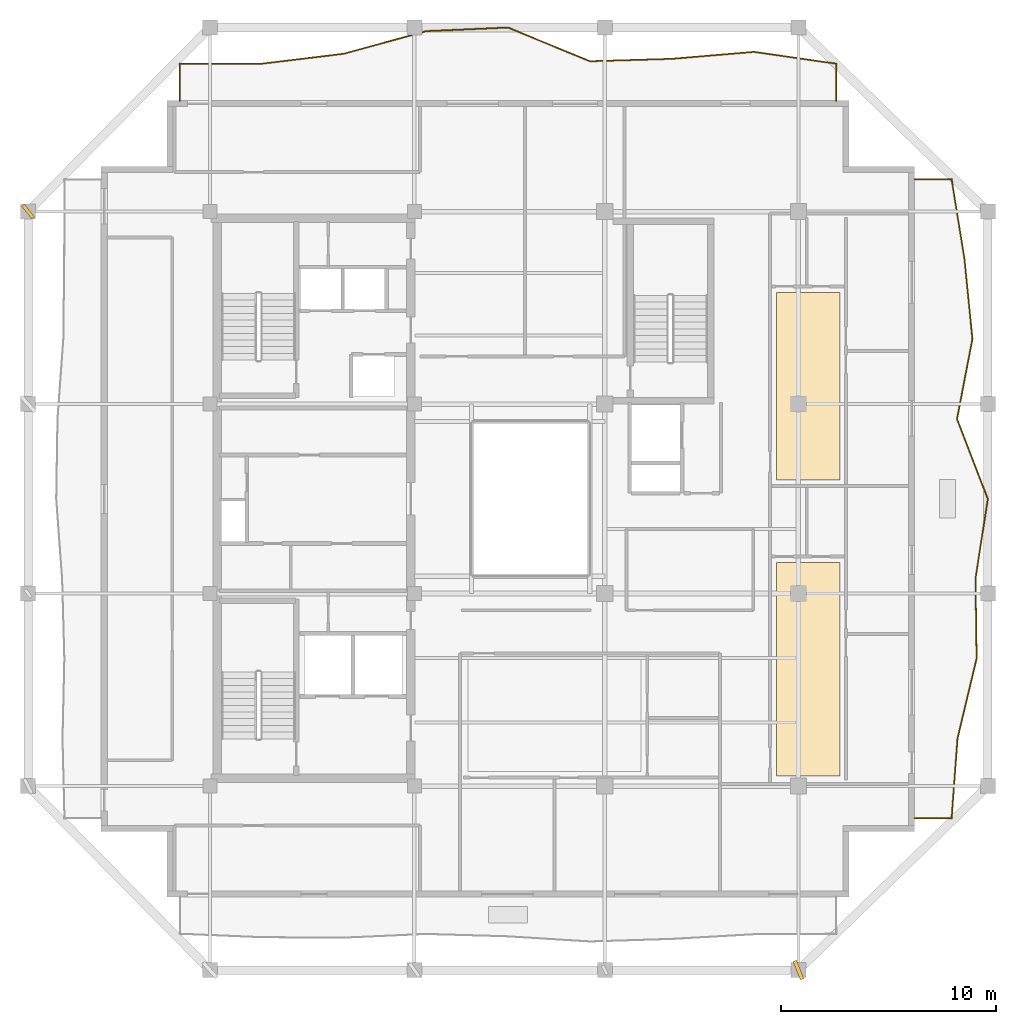
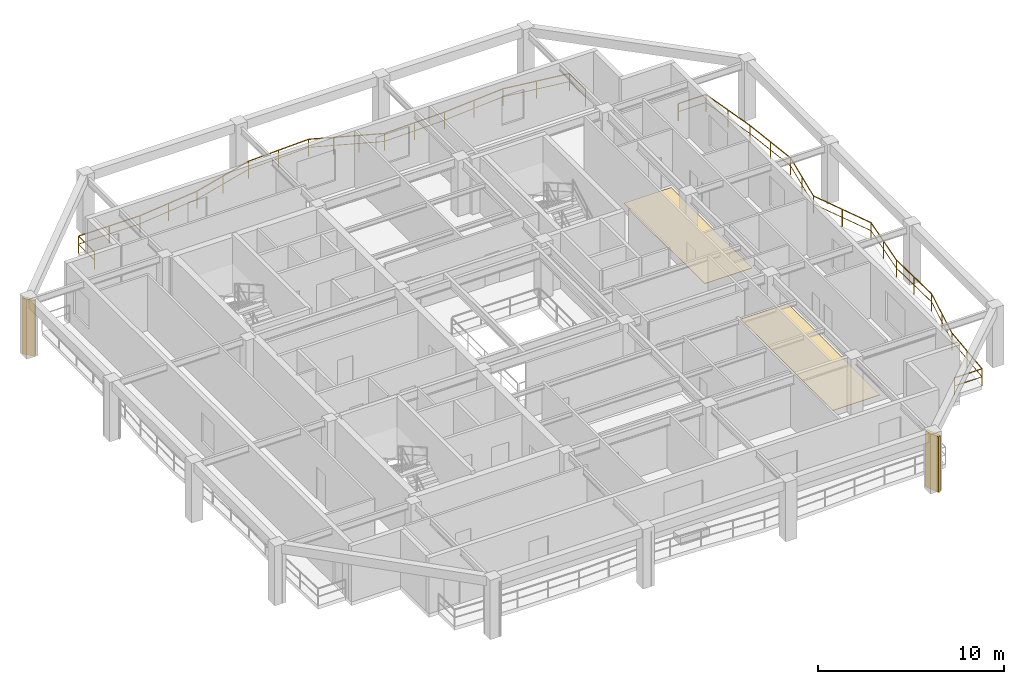
# One storey, part 9 of 10: 2 coverings, 2 railings, 2 shading devices.
"""IFC4 building model written with IfcOpenShell, lengths in metres."""

from ifc_helpers import new_model, si_unit, direction, frame, origin, origin_2d, place, context, subcontext, project, spatial, polyline, rectangle, outline, extrude, material, layer, layer_set, type_object, element, save


model = new_model("IFC4")

# Units and contexts
model_context = context("Model", 3, precision=1e-05, world=origin(), true_north=direction((0.0, 1.0)))
body_context = subcontext(model_context, "Body", "Model", "MODEL_VIEW")
ifc_project = project(units=[si_unit("LENGTHUNIT", "METRE"), si_unit("AREAUNIT", "SQUARE_METRE"), si_unit("VOLUMEUNIT", "CUBIC_METRE"), si_unit("PLANEANGLEUNIT", "RADIAN"), si_unit("MASSUNIT", "GRAM", prefix="KILO")], contexts=[model_context])

# Site, building, storey
site_placement = place(None, origin())
site = spatial("IfcSite", under=ifc_project, at=site_placement, CompositionType="ELEMENT")
building_placement = place(site_placement, origin())
building = spatial("IfcBuilding", under=site, at=building_placement, Name="Kundavana Baori Tower", CompositionType="ELEMENT")
storey_placement = place(building_placement, frame((0.0, 0.0, 299.89990234375)))
storey = spatial("IfcBuildingStorey", under=building, at=storey_placement, Name="L74", CompositionType="ELEMENT", Elevation=299.89990234375)

# Coverings
ifc_material_1 = material(Name="Honed Kota Stone and Terrazzo Flooring", Category="masonry")
ifc_layer = layer(ifc_material_1, 0.030029296875, Name="COV-INT-FLR")
ifc_layer_set = layer_set([ifc_layer], Name="Honed Kota Stone and Terrazzo Flooring")
covering_type = type_object("IfcCoveringType", Name="COV-INT-FLR", PredefinedType="FLOORING", material=ifc_layer_set)
covering_1_placement = place(storey_placement, origin())
element("IfcCovering", 1, at=covering_1_placement, inside=storey, type_object=covering_type, Name="L74 Room Finished Stone Flooring 2", PredefinedType="FLOORING", context=body_context, shape_type="SweptSolid", body=[
    extrude(outline(polyline([(41.780029296875, 15.72998046875), (44.719970703125, 15.72998046875), (44.719970703125, 25.639892578125), (41.780029296875, 25.639892578125), (41.780029296875, 15.72998046875)])), origin(), (0.0, 0.0, 1.0), 0.030029296875),
])
covering_2_placement = place(storey_placement, origin())
element("IfcCovering", 2, at=covering_2_placement, inside=storey, type_object=covering_type, Name="L74 Room Finished Stone Flooring 3", PredefinedType="FLOORING", context=body_context, shape_type="SweptSolid", body=[
    extrude(outline(polyline([(41.780029296875, 29.47998046875), (44.719970703125, 29.47998046875), (44.719970703125, 38.18994140625), (41.780029296875, 38.18994140625), (41.780029296875, 29.47998046875)])), origin(), (0.0, 0.0, 1.0), 0.030029296875),
])

# Railings
ifc_material_2 = material(Name="Architectural Patinated Bronze Metalwork")
railing_type = type_object("IfcRailingType", Name="RL-BAL-1150", PredefinedType="BALUSTRADE", material=ifc_material_2)
railing_1_placement = place(storey_placement, frame((48.199951171875, 43.449951171875, 0.0)))
element("IfcRailing", 3, at=railing_1_placement, inside=storey, type_object=railing_type, Name="L74 Loggia Balcony Balustrade E", PredefinedType="BALUSTRADE", context=body_context, shape_type="SweptSolid", body=[
    extrude(rectangle(XDim=0.048095703125, YDim=0.048095703125, at=origin_2d()), frame((0.0, 0.0, 1.1259765625), z_axis=(1.0, 0.0, 0.0), x_axis=(0.0, 1.0, 0.0)), (0.0, 0.0, 1.0), 1.719970703125),
    extrude(rectangle(XDim=0.03125, YDim=0.03125, at=origin_2d()), frame((0.0, 0.0, 0.597900390625), z_axis=(1.0, 0.0, 0.0), x_axis=(0.0, 1.0, 0.0)), (0.0, 0.0, 1.0), 1.719970703125),
    extrude(rectangle(XDim=0.048095703125, YDim=0.048095703125, at=origin_2d()), frame((1.719970703125, 0.0, 1.1259765625), z_axis=(0.159342677041, -0.98722333404, 0.0), x_axis=(0.98722333404, 0.159342677041, 0.0)), (0.0, 0.0, 1.0), 3.760009765625),
    extrude(rectangle(XDim=0.03125, YDim=0.03125, at=origin_2d()), frame((1.719970703125, 0.0, 0.597900390625), z_axis=(0.159342677041, -0.98722333404, 0.0), x_axis=(0.98722333404, 0.159342677041, 0.0)), (0.0, 0.0, 1.0), 3.760009765625),
    extrude(rectangle(XDim=0.048095703125, YDim=0.048095703125, at=origin_2d()), frame((2.319091796875, -3.7119140625, 1.1259765625), z_axis=(0.098603204225, -0.995126830166, 0.0), x_axis=(0.995126830166, 0.098603204225, 0.0)), (0.0, 0.0, 1.0), 3.731201171875),
    extrude(rectangle(XDim=0.03125, YDim=0.03125, at=origin_2d()), frame((2.319091796875, -3.7119140625, 0.597900390625), z_axis=(0.098603204225, -0.995126830166, 0.0), x_axis=(0.995126830166, 0.098603204225, 0.0)), (0.0, 0.0, 1.0), 3.731201171875),
    extrude(rectangle(XDim=0.048095703125, YDim=0.048095703125, at=origin_2d()), frame((2.68701171875, -7.425048828125, 1.1259765625), z_axis=(-0.189369413955, -0.981905914565, 0.0), x_axis=(0.981905914565, -0.189369413955, 0.0)), (0.0, 0.0, 1.0), 3.78125),
    extrude(rectangle(XDim=0.03125, YDim=0.03125, at=origin_2d()), frame((2.68701171875, -7.425048828125, 0.597900390625), z_axis=(-0.189369413955, -0.981905914565, 0.0), x_axis=(0.981905914565, -0.189369413955, 0.0)), (0.0, 0.0, 1.0), 3.78125),
    extrude(rectangle(XDim=0.048095703125, YDim=0.048095703125, at=origin_2d()), frame((1.970947265625, -11.137939453125, 1.1259765625), z_axis=(0.359316327421, -0.933215825438, 0.0), x_axis=(0.933215825438, 0.359316327421, 0.0)), (0.0, 0.0, 1.0), 3.9775390625),
    extrude(rectangle(XDim=0.03125, YDim=0.03125, at=origin_2d()), frame((1.970947265625, -11.137939453125, 0.597900390625), z_axis=(0.359316327421, -0.933215825438, 0.0), x_axis=(0.933215825438, 0.359316327421, 0.0)), (0.0, 0.0, 1.0), 3.9775390625),
    extrude(rectangle(XDim=0.048095703125, YDim=0.048095703125, at=origin_2d()), frame((3.400146484375, -14.849853515625, 1.1259765625), z_axis=(-0.1517885131, -0.988412994295, 0.0), x_axis=(0.988412994295, -0.1517885131, 0.0)), (0.0, 0.0, 1.0), 3.755615234375),
    extrude(rectangle(XDim=0.03125, YDim=0.03125, at=origin_2d()), frame((3.400146484375, -14.849853515625, 0.597900390625), z_axis=(-0.1517885131, -0.988412994295, 0.0), x_axis=(0.988412994295, -0.1517885131, 0.0)), (0.0, 0.0, 1.0), 3.755615234375),
    extrude(rectangle(XDim=0.048095703125, YDim=0.048095703125, at=origin_2d()), frame((2.830078125, -18.56201171875, 1.1259765625), z_axis=(0.014004412928, -0.999901933401, 0.0), x_axis=(0.999901933401, 0.014004412928, 0.0)), (0.0, 0.0, 1.0), 3.713134765625),
    extrude(rectangle(XDim=0.03125, YDim=0.03125, at=origin_2d()), frame((2.830078125, -18.56201171875, 0.597900390625), z_axis=(0.014004412928, -0.999901933401, 0.0), x_axis=(0.999901933401, 0.014004412928, 0.0)), (0.0, 0.0, 1.0), 3.713134765625),
    extrude(rectangle(XDim=0.048095703125, YDim=0.048095703125, at=origin_2d()), frame((2.882080078125, -22.27490234375, 1.1259765625), z_axis=(-0.232577158128, -0.972577948299, 0.0), x_axis=(0.972577948299, -0.232577158128, 0.0)), (0.0, 0.0, 1.0), 3.81787109375),
    extrude(rectangle(XDim=0.03125, YDim=0.03125, at=origin_2d()), frame((2.882080078125, -22.27490234375, 0.597900390625), z_axis=(-0.232577158128, -0.972577948299, 0.0), x_axis=(0.972577948299, -0.232577158128, 0.0)), (0.0, 0.0, 1.0), 3.81787109375),
    extrude(rectangle(XDim=0.048095703125, YDim=0.048095703125, at=origin_2d()), frame((1.994140625, -25.988037109375, 1.1259765625), z_axis=(-0.073661480478, -0.997283302925, 0.0), x_axis=(0.997283302925, -0.073661480478, 0.0)), (0.0, 0.0, 1.0), 3.721923828125),
    extrude(rectangle(XDim=0.03125, YDim=0.03125, at=origin_2d()), frame((1.994140625, -25.988037109375, 0.597900390625), z_axis=(-0.073661480478, -0.997283302925, 0.0), x_axis=(0.997283302925, -0.073661480478, 0.0)), (0.0, 0.0, 1.0), 3.721923828125),
    extrude(rectangle(XDim=0.048095703125, YDim=0.048095703125, at=origin_2d()), frame((1.719970703125, -29.699951171875, 1.1259765625), z_axis=(-1.0, 0.0, 0.0), x_axis=(0.0, -1.0, 0.0)), (0.0, 0.0, 1.0), 1.719970703125),
    extrude(rectangle(XDim=0.03125, YDim=0.03125, at=origin_2d()), frame((1.719970703125, -29.699951171875, 0.597900390625), z_axis=(-1.0, 0.0, 0.0), x_axis=(0.0, -1.0, 0.0)), (0.0, 0.0, 1.0), 1.719970703125),
    extrude(rectangle(XDim=0.0419921875, YDim=0.0419921875, at=origin_2d()), origin(), (0.0, 0.0, 1.0), 1.101806640625),
    extrude(rectangle(XDim=0.0419921875, YDim=0.0419921875, at=origin_2d()), frame((1.719970703125, 0.0, 0.0)), (0.0, 0.0, 1.0), 1.101806640625),
    extrude(rectangle(XDim=0.0419921875, YDim=0.0419921875, at=origin_2d()), frame((2.01953125, -1.85595703125, 0.0)), (0.0, 0.0, 1.0), 1.101806640625),
    extrude(rectangle(XDim=0.0419921875, YDim=0.0419921875, at=origin_2d()), frame((2.319091796875, -3.7119140625, 0.0)), (0.0, 0.0, 1.0), 1.101806640625),
    extrude(rectangle(XDim=0.0419921875, YDim=0.0419921875, at=origin_2d()), frame((2.5029296875, -5.568359375, 0.0)), (0.0, 0.0, 1.0), 1.101806640625),
    extrude(rectangle(XDim=0.0419921875, YDim=0.0419921875, at=origin_2d()), frame((2.68701171875, -7.425048828125, 0.0)), (0.0, 0.0, 1.0), 1.101806640625),
    extrude(rectangle(XDim=0.0419921875, YDim=0.0419921875, at=origin_2d()), frame((2.3291015625, -9.281494140625, 0.0)), (0.0, 0.0, 1.0), 1.101806640625),
    extrude(rectangle(XDim=0.0419921875, YDim=0.0419921875, at=origin_2d()), frame((1.970947265625, -11.137939453125, 0.0)), (0.0, 0.0, 1.0), 1.101806640625),
    extrude(rectangle(XDim=0.0419921875, YDim=0.0419921875, at=origin_2d()), frame((2.685546875, -12.993896484375, 0.0)), (0.0, 0.0, 1.0), 1.101806640625),
    extrude(rectangle(XDim=0.0419921875, YDim=0.0419921875, at=origin_2d()), frame((3.400146484375, -14.849853515625, 0.0)), (0.0, 0.0, 1.0), 1.101806640625),
    extrude(rectangle(XDim=0.0419921875, YDim=0.0419921875, at=origin_2d()), frame((3.115234375, -16.7060546875, 0.0)), (0.0, 0.0, 1.0), 1.101806640625),
    extrude(rectangle(XDim=0.0419921875, YDim=0.0419921875, at=origin_2d()), frame((2.830078125, -18.56201171875, 0.0)), (0.0, 0.0, 1.0), 1.101806640625),
    extrude(rectangle(XDim=0.0419921875, YDim=0.0419921875, at=origin_2d()), frame((2.85595703125, -20.41845703125, 0.0)), (0.0, 0.0, 1.0), 1.101806640625),
    extrude(rectangle(XDim=0.0419921875, YDim=0.0419921875, at=origin_2d()), frame((2.882080078125, -22.27490234375, 0.0)), (0.0, 0.0, 1.0), 1.101806640625),
    extrude(rectangle(XDim=0.0419921875, YDim=0.0419921875, at=origin_2d()), frame((2.43798828125, -24.13134765625, 0.0)), (0.0, 0.0, 1.0), 1.101806640625),
    extrude(rectangle(XDim=0.0419921875, YDim=0.0419921875, at=origin_2d()), frame((1.994140625, -25.988037109375, 0.0)), (0.0, 0.0, 1.0), 1.101806640625),
    extrude(rectangle(XDim=0.0419921875, YDim=0.0419921875, at=origin_2d()), frame((1.85693359375, -27.843994140625, 0.0)), (0.0, 0.0, 1.0), 1.101806640625),
    extrude(rectangle(XDim=0.0419921875, YDim=0.0419921875, at=origin_2d()), frame((1.719970703125, -29.699951171875, 0.0)), (0.0, 0.0, 1.0), 1.101806640625),
    extrude(rectangle(XDim=0.0419921875, YDim=0.0419921875, at=origin_2d()), frame((0.0, -29.699951171875, 0.0)), (0.0, 0.0, 1.0), 1.101806640625),
])
railing_2_placement = place(storey_placement, frame((14.050048828125, 47.10009765625, 0.0)))
element("IfcRailing", 4, at=railing_2_placement, inside=storey, type_object=railing_type, Name="L74 Loggia Balcony Balustrade N", PredefinedType="BALUSTRADE", context=body_context, shape_type="SweptSolid", body=[
    extrude(rectangle(XDim=0.048095703125, YDim=0.048095703125, at=origin_2d()), frame((0.0, 0.0, 1.1259765625), z_axis=(0.0, 1.0, 0.0), x_axis=(-1.0, 0.0, 0.0)), (0.0, 0.0, 1.0), 1.719970703125),
    extrude(rectangle(XDim=0.03125, YDim=0.03125, at=origin_2d()), frame((0.0, 0.0, 0.597900390625), z_axis=(0.0, 1.0, 0.0), x_axis=(-1.0, 0.0, 0.0)), (0.0, 0.0, 1.0), 1.719970703125),
    extrude(rectangle(XDim=0.048095703125, YDim=0.048095703125, at=origin_2d()), frame((0.0, 1.719970703125, 1.1259765625), z_axis=(0.999999868811, 0.000512229412, 0.0), x_axis=(-0.000512229412, 0.999999868811, 0.0)), (0.0, 0.0, 1.0), 3.81298828125),
    extrude(rectangle(XDim=0.03125, YDim=0.03125, at=origin_2d()), frame((0.0, 1.719970703125, 0.597900390625), z_axis=(0.999999868811, 0.000512229412, 0.0), x_axis=(-0.000512229412, 0.999999868811, 0.0)), (0.0, 0.0, 1.0), 3.81298828125),
    extrude(rectangle(XDim=0.048095703125, YDim=0.048095703125, at=origin_2d()), frame((3.81298828125, 1.721923828125, 1.1259765625), z_axis=(0.992738384386, 0.120293392036, 0.0), x_axis=(-0.120293392036, 0.992738384386, 0.0)), (0.0, 0.0, 1.0), 3.83984375),
    extrude(rectangle(XDim=0.03125, YDim=0.03125, at=origin_2d()), frame((3.81298828125, 1.721923828125, 0.597900390625), z_axis=(0.992738384386, 0.120293392036, 0.0), x_axis=(-0.120293392036, 0.992738384386, 0.0)), (0.0, 0.0, 1.0), 3.83984375),
    extrude(rectangle(XDim=0.048095703125, YDim=0.048095703125, at=origin_2d()), frame((7.625, 2.183837890625, 1.1259765625), z_axis=(0.964345002951, 0.264648286003, 0.0), x_axis=(-0.264648286003, 0.964345002951, 0.0)), (0.0, 0.0, 1.0), 3.952880859375),
    extrude(rectangle(XDim=0.03125, YDim=0.03125, at=origin_2d()), frame((7.625, 2.183837890625, 0.597900390625), z_axis=(0.964345002951, 0.264648286003, 0.0), x_axis=(-0.264648286003, 0.964345002951, 0.0)), (0.0, 0.0, 1.0), 3.952880859375),
    extrude(rectangle(XDim=0.048095703125, YDim=0.048095703125, at=origin_2d()), frame((11.43701171875, 3.22998046875, 1.1259765625), z_axis=(0.999008503078, 0.044519779622, 0.0), x_axis=(-0.044519779622, 0.999008503078, 0.0)), (0.0, 0.0, 1.0), 3.81689453125),
    extrude(rectangle(XDim=0.03125, YDim=0.03125, at=origin_2d()), frame((11.43701171875, 3.22998046875, 0.597900390625), z_axis=(0.999008503078, 0.044519779622, 0.0), x_axis=(-0.044519779622, 0.999008503078, 0.0)), (0.0, 0.0, 1.0), 3.81689453125),
    extrude(rectangle(XDim=0.048095703125, YDim=0.048095703125, at=origin_2d()), frame((15.25, 3.39990234375, 1.1259765625), z_axis=(0.925080039685, -0.379772195106, 0.0), x_axis=(0.379772195106, 0.925080039685, 0.0)), (0.0, 0.0, 1.0), 4.120849609375),
    extrude(rectangle(XDim=0.03125, YDim=0.03125, at=origin_2d()), frame((15.25, 3.39990234375, 0.597900390625), z_axis=(0.925080039685, -0.379772195106, 0.0), x_axis=(0.379772195106, 0.925080039685, 0.0)), (0.0, 0.0, 1.0), 4.120849609375),
    extrude(rectangle(XDim=0.048095703125, YDim=0.048095703125, at=origin_2d()), frame((19.06201171875, 1.8349609375, 1.1259765625), z_axis=(0.999553252817, 0.029888037461, 0.0), x_axis=(-0.029888037461, 0.999553252817, 0.0)), (0.0, 0.0, 1.0), 3.814697265625),
    extrude(rectangle(XDim=0.03125, YDim=0.03125, at=origin_2d()), frame((19.06201171875, 1.8349609375, 0.597900390625), z_axis=(0.999553252817, 0.029888037461, 0.0), x_axis=(-0.029888037461, 0.999553252817, 0.0)), (0.0, 0.0, 1.0), 3.814697265625),
    extrude(rectangle(XDim=0.048095703125, YDim=0.048095703125, at=origin_2d()), frame((22.875, 1.948974609375, 1.1259765625), z_axis=(0.996429487933, 0.0844291157, 0.0), x_axis=(-0.0844291157, 0.996429487933, 0.0)), (0.0, 0.0, 1.0), 3.82568359375),
    extrude(rectangle(XDim=0.03125, YDim=0.03125, at=origin_2d()), frame((22.875, 1.948974609375, 0.597900390625), z_axis=(0.996429487933, 0.0844291157, 0.0), x_axis=(-0.0844291157, 0.996429487933, 0.0)), (0.0, 0.0, 1.0), 3.82568359375),
    extrude(rectangle(XDim=0.048095703125, YDim=0.048095703125, at=origin_2d()), frame((26.68701171875, 2.27197265625, 1.1259765625), z_axis=(0.989682878642, -0.143275258587, 0.0), x_axis=(0.143275258587, 0.989682878642, 0.0)), (0.0, 0.0, 1.0), 3.852783203125),
    extrude(rectangle(XDim=0.03125, YDim=0.03125, at=origin_2d()), frame((26.68701171875, 2.27197265625, 0.597900390625), z_axis=(0.989682878642, -0.143275258587, 0.0), x_axis=(0.143275258587, 0.989682878642, 0.0)), (0.0, 0.0, 1.0), 3.852783203125),
    extrude(rectangle(XDim=0.048095703125, YDim=0.048095703125, at=origin_2d()), frame((30.5, 1.719970703125, 1.1259765625), z_axis=(0.0, -1.0, 0.0), x_axis=(1.0, 0.0, 0.0)), (0.0, 0.0, 1.0), 1.719970703125),
    extrude(rectangle(XDim=0.03125, YDim=0.03125, at=origin_2d()), frame((30.5, 1.719970703125, 0.597900390625), z_axis=(0.0, -1.0, 0.0), x_axis=(1.0, 0.0, 0.0)), (0.0, 0.0, 1.0), 1.719970703125),
    extrude(rectangle(XDim=0.0419921875, YDim=0.0419921875, at=origin_2d()), origin(), (0.0, 0.0, 1.0), 1.101806640625),
    extrude(rectangle(XDim=0.0419921875, YDim=0.0419921875, at=origin_2d()), frame((0.0, 1.719970703125, 0.0)), (0.0, 0.0, 1.0), 1.101806640625),
    extrude(rectangle(XDim=0.0419921875, YDim=0.0419921875, at=origin_2d()), frame((1.906494140625, 1.720947265625, 0.0)), (0.0, 0.0, 1.0), 1.101806640625),
    extrude(rectangle(XDim=0.0419921875, YDim=0.0419921875, at=origin_2d()), frame((3.81298828125, 1.721923828125, 0.0)), (0.0, 0.0, 1.0), 1.101806640625),
    extrude(rectangle(XDim=0.0419921875, YDim=0.0419921875, at=origin_2d()), frame((5.718994140625, 1.952880859375, 0.0)), (0.0, 0.0, 1.0), 1.101806640625),
    extrude(rectangle(XDim=0.0419921875, YDim=0.0419921875, at=origin_2d()), frame((7.625, 2.183837890625, 0.0)), (0.0, 0.0, 1.0), 1.101806640625),
    extrude(rectangle(XDim=0.0419921875, YDim=0.0419921875, at=origin_2d()), frame((9.531005859375, 2.70703125, 0.0)), (0.0, 0.0, 1.0), 1.101806640625),
    extrude(rectangle(XDim=0.0419921875, YDim=0.0419921875, at=origin_2d()), frame((11.43701171875, 3.22998046875, 0.0)), (0.0, 0.0, 1.0), 1.101806640625),
    extrude(rectangle(XDim=0.0419921875, YDim=0.0419921875, at=origin_2d()), frame((13.343505859375, 3.31494140625, 0.0)), (0.0, 0.0, 1.0), 1.101806640625),
    extrude(rectangle(XDim=0.0419921875, YDim=0.0419921875, at=origin_2d()), frame((15.25, 3.39990234375, 0.0)), (0.0, 0.0, 1.0), 1.101806640625),
    extrude(rectangle(XDim=0.0419921875, YDim=0.0419921875, at=origin_2d()), frame((16.520751953125, 2.878173828125, 0.0)), (0.0, 0.0, 1.0), 1.101806640625),
    extrude(rectangle(XDim=0.0419921875, YDim=0.0419921875, at=origin_2d()), frame((17.791259765625, 2.356689453125, 0.0)), (0.0, 0.0, 1.0), 1.101806640625),
    extrude(rectangle(XDim=0.0419921875, YDim=0.0419921875, at=origin_2d()), frame((19.06201171875, 1.8349609375, 0.0)), (0.0, 0.0, 1.0), 1.101806640625),
    extrude(rectangle(XDim=0.0419921875, YDim=0.0419921875, at=origin_2d()), frame((20.968505859375, 1.89208984375, 0.0)), (0.0, 0.0, 1.0), 1.101806640625),
    extrude(rectangle(XDim=0.0419921875, YDim=0.0419921875, at=origin_2d()), frame((22.875, 1.948974609375, 0.0)), (0.0, 0.0, 1.0), 1.101806640625),
    extrude(rectangle(XDim=0.0419921875, YDim=0.0419921875, at=origin_2d()), frame((24.781005859375, 2.1103515625, 0.0)), (0.0, 0.0, 1.0), 1.101806640625),
    extrude(rectangle(XDim=0.0419921875, YDim=0.0419921875, at=origin_2d()), frame((26.68701171875, 2.27197265625, 0.0)), (0.0, 0.0, 1.0), 1.101806640625),
    extrude(rectangle(XDim=0.0419921875, YDim=0.0419921875, at=origin_2d()), frame((28.593505859375, 1.99609375, 0.0)), (0.0, 0.0, 1.0), 1.101806640625),
    extrude(rectangle(XDim=0.0419921875, YDim=0.0419921875, at=origin_2d()), frame((30.5, 1.719970703125, 0.0)), (0.0, 0.0, 1.0), 1.101806640625),
    extrude(rectangle(XDim=0.0419921875, YDim=0.0419921875, at=origin_2d()), frame((30.5, 0.0, 0.0)), (0.0, 0.0, 1.0), 1.101806640625),
])

# Shading devices
ifc_material_3 = material(Name="Red-Buff Dholpur Sandstone Cladding on Concrete C40/50", Category="masonry")
shading_device_type_1 = type_object("IfcShadingDeviceType", Name="SHD-FIN-750", PredefinedType="JALOUSIE", material=ifc_material_3)
shading_device_1_placement = place(storey_placement, frame((7.0, 41.949951171875, 0.0), z_axis=(0.0, 0.0, 1.0), x_axis=(0.7868273169, 0.617173211813, 0.0)))
element("IfcShadingDevice", 5, at=shading_device_1_placement, inside=storey, type_object=shading_device_type_1, Name="L74 Sweeping Dholpur Sandstone Facade Fin 8", PredefinedType="JALOUSIE", context=body_context, shape_type="SweptSolid", body=[
    extrude(rectangle(XDim=0.159912109375, YDim=0.75, at=origin_2d()), origin(), (0.0, 0.0, 1.0), 3.659912109375),
])
ifc_material_4 = material(Name="Red-Buff Dholpur Sandstone Cladding on Concrete C40/50", Category="masonry")
shading_device_type_2 = type_object("IfcShadingDeviceType", Name="SHD-FIN-920", PredefinedType="JALOUSIE", material=ifc_material_4)
shading_device_2_placement = place(storey_placement, frame((42.800048828125, 6.699951171875, 0.0), z_axis=(0.0, 0.0, 1.0), x_axis=(0.927053035713, 0.374930218808, 0.0)))
element("IfcShadingDevice", 6, at=shading_device_2_placement, inside=storey, type_object=shading_device_type_2, Name="L74 Sweeping Dholpur Sandstone Facade Fin 4", PredefinedType="JALOUSIE", context=body_context, shape_type="SweptSolid", body=[
    extrude(rectangle(XDim=0.179931640625, YDim=0.919921875, at=origin_2d()), origin(), (0.0, 0.0, 1.0), 3.659912109375),
])

save(model, "model.ifc")
